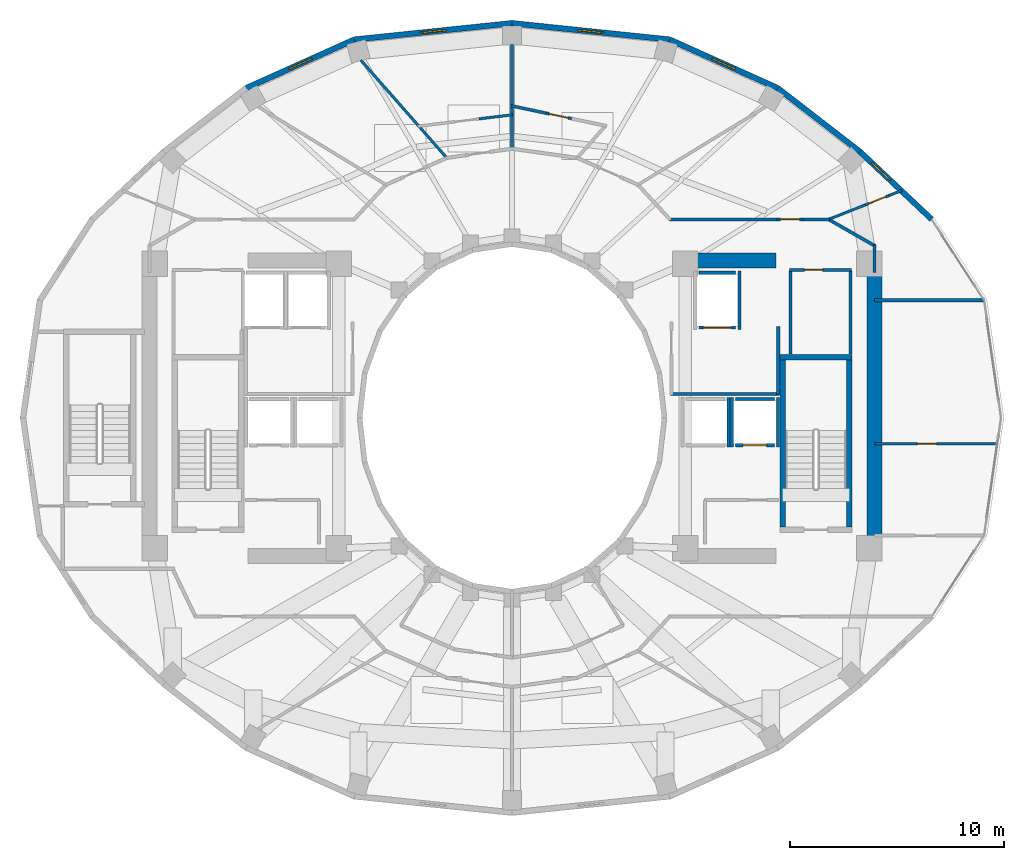
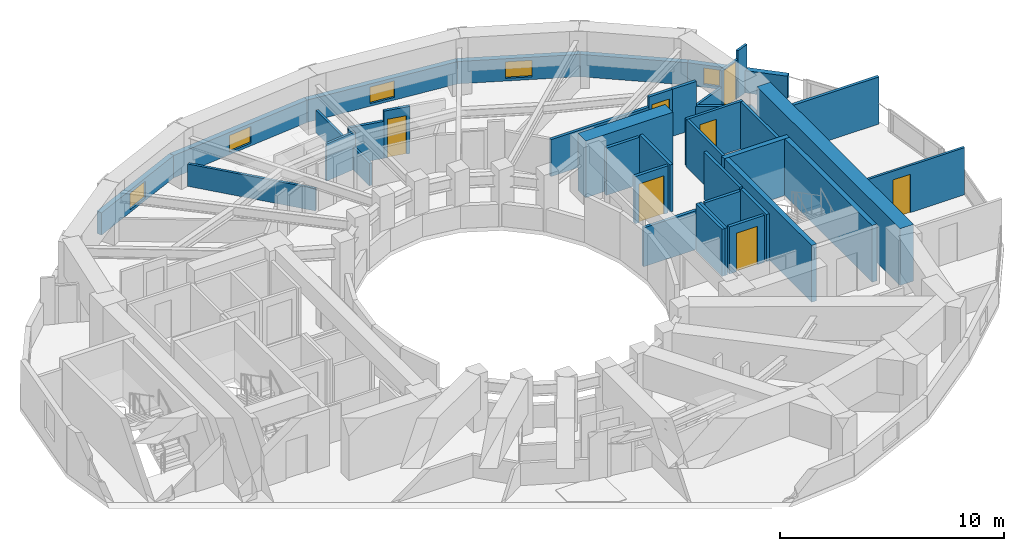
# One storey, part 9 of 13: 39 walls, 7 doors, 5 windows, 12 openings.
"""IFC4 building model written with IfcOpenShell, lengths in metres."""

from ifc_helpers import new_model, si_unit, direction, frame, frame_2d, origin, place, context, subcontext, project, spatial, rectangle, extrude, material, layer, layer_set, type_object, element, fill, save


model = new_model("IFC4")

# Units and contexts
model_context = context("Model", 3, precision=1e-05, world=origin(), true_north=direction((0.0, 1.0)))
body_context = subcontext(model_context, "Body", "Model", "MODEL_VIEW")
ifc_project = project(units=[si_unit("LENGTHUNIT", "METRE"), si_unit("AREAUNIT", "SQUARE_METRE"), si_unit("VOLUMEUNIT", "CUBIC_METRE"), si_unit("PLANEANGLEUNIT", "RADIAN"), si_unit("MASSUNIT", "GRAM", prefix="KILO")], contexts=[model_context])

# Site, building, storey
site_placement = place(None, origin())
site = spatial("IfcSite", under=ifc_project, at=site_placement, CompositionType="ELEMENT")
building_placement = place(site_placement, origin())
building = spatial("IfcBuilding", under=site, at=building_placement, Name="Solvane Sanctuary Tower", CompositionType="ELEMENT")
storey_placement = place(building_placement, frame((0.0, 0.0, 149.800048828125)))
storey = spatial("IfcBuildingStorey", under=building, at=storey_placement, Name="L45", CompositionType="ELEMENT", Elevation=149.800048828125)

# Walls
ifc_material_1 = material(Name="Concrete C60/75", Category="concrete")
ifc_layer_1 = layer(ifc_material_1, 0.699951171875, Name="Concrete C60/75")
ifc_layer_set_1 = layer_set([ifc_layer_1], Name="Concrete C60/75")
wall_type_1 = type_object("IfcWallType", Name="Wall W-CORE-700", PredefinedType="SHEAR", material=ifc_layer_set_1)
wall_1_placement = place(storey_placement, frame((48.949951171875, 17.050048828125, 0.0), z_axis=(0.0, 0.0, 1.0), x_axis=(0.0, 1.0, 0.0)))
element("IfcWall", 1, at=wall_1_placement, inside=storey, type_object=wall_type_1, Name="L45 Core Shear Wall EC-E", PredefinedType="SHEAR", context=body_context, shape_type="SweptSolid", body=[
    extrude(rectangle(XDim=12.800048828125, YDim=0.699951171875, at=frame_2d((6.39990234375, 0.0))), origin(), (0.0, 0.0, 1.0), 3.099853515625),
])
wall_2_placement = place(storey_placement, frame((39.85009765625, 30.35009765625, 0.0), z_axis=(0.0, 0.0, 1.0), x_axis=(1.0, 0.0, 0.0)))
element("IfcWall", 2, at=wall_2_placement, inside=storey, type_object=wall_type_1, Name="L45 Core Shear Wall EC-N", PredefinedType="SHEAR", context=body_context, shape_type="SweptSolid", body=[
    extrude(rectangle(XDim=4.5, YDim=0.699951171875, at=frame_2d((2.25, 0.0))), origin(), (0.0, 0.0, 1.0), 3.099853515625),
])
ifc_material_2 = material(Name="Acoustic Gypsum Partition Board")
ifc_layer_2 = layer(ifc_material_2, 0.14990234375, Name="Acoustic Gypsum Partition Board")
ifc_layer_set_2 = layer_set([ifc_layer_2], Name="Acoustic Gypsum Partition Board")
wall_type_2 = type_object("IfcWallType", Name="Wall W-CORR-150", PredefinedType="PARTITIONING", material=ifc_layer_set_2)
wall_3_placement = place(storey_placement, frame((39.39990234375, 24.1201171875, 0.0), z_axis=(0.0, 0.0, 1.0), x_axis=(1.0, 0.0, 0.0)))
element("IfcWall", 3, at=wall_3_placement, inside=storey, type_object=wall_type_2, Name="L45 East Firefighting Lobby South Wall", PredefinedType="PARTITIONING", context=body_context, shape_type="SweptSolid", body=[
    extrude(rectangle(XDim=5.080078125, YDim=0.14990234375, at=frame_2d((2.5400390625, 0.0))), origin(), (0.0, 0.0, 1.0), 2.119873046875),
])
wall_4_placement = place(storey_placement, frame((44.449951171875, 24.080078125, 0.0), z_axis=(0.0, 0.0, 1.0), x_axis=(0.0, 1.0, 0.0)))
element("IfcWall", 4, at=wall_4_placement, inside=storey, type_object=wall_type_2, Name="L45 East Firefighting Lobby East Wall", PredefinedType="PARTITIONING", context=body_context, shape_type="SweptSolid", body=[
    extrude(rectangle(XDim=3.199951171875, YDim=0.14990234375, at=frame_2d((1.60009765625, 0.0))), origin(), (0.0, 0.0, 1.0), 2.574951171875),
])
wall_5_placement = place(storey_placement, frame((48.949951171875, 28.5029296875, 0.0), z_axis=(0.0, 0.0, 1.0), x_axis=(1.0, 0.0, 0.0)))
element("IfcWall", 5, at=wall_5_placement, inside=storey, type_object=wall_type_2, Name="L45 East Shoulder North Wall", PredefinedType="PARTITIONING", context=body_context, shape_type="SweptSolid", body=[
    extrude(rectangle(XDim=5.14013671875, YDim=0.14990234375, at=frame_2d((2.570068359375, 0.0))), origin(), (0.0, 0.0, 1.0), 2.574951171875),
])
wall_6_placement = place(storey_placement, frame((48.949951171875, 29.800048828125, 0.0), z_axis=(0.0, 0.0, 1.0), x_axis=(0.0, 1.0, 0.0)))
element("IfcWall", 6, at=wall_6_placement, inside=storey, type_object=wall_type_2, Name="L45 NE Corner Closer 1", PredefinedType="PARTITIONING", context=body_context, shape_type="SweptSolid", body=[
    extrude(rectangle(XDim=1.2900390625, YDim=0.14990234375, at=frame_2d((0.64501953125, 0.0))), origin(), (0.0, 0.0, 1.0), 1.219970703125),
])
wall_7_placement = place(storey_placement, frame((39.330078125, 32.280029296875, 0.0), z_axis=(0.0, 0.0, 1.0), x_axis=(1.0, 0.0, 0.0)))
element("IfcWall", 7, at=wall_7_placement, inside=storey, type_object=wall_type_2, Name="L45 NE Corner Corridor Wall", PredefinedType="PARTITIONING", context=body_context, shape_type="SweptSolid", body=[
    extrude(rectangle(XDim=5.059814453125, YDim=0.14990234375, at=frame_2d((2.52978515625, 0.0))), origin(), (0.0, 0.0, 1.0), 2.01904296875),
])

# Wall, opening, door
wall_8_placement = place(storey_placement, frame((44.389892578125, 32.280029296875, 0.0), z_axis=(0.0, 0.0, 1.0), x_axis=(1.0, 0.0, 0.0)))
wall_8 = element("IfcWall", 8, at=wall_8_placement, inside=storey, type_object=wall_type_2, Name="L45 NE Corner Corridor Wall", PredefinedType="PARTITIONING", context=body_context, shape_type="SweptSolid", body=[
    extrude(rectangle(XDim=1.22021484375, YDim=0.14990234375, at=frame_2d((0.610107421875, 0.0))), origin(), (0.0, 0.0, 1.0), 2.574951171875),
])
opening_1_placement = place(wall_8_placement, frame((0.159912109375, 0.0, 0.0)))
opening_1 = element("IfcOpeningElement", 9, at=opening_1_placement, cuts=wall_8, Name="Opening D-L45-13", PredefinedType="OPENING", context=body_context, shape_type="SweptSolid", body=[
    extrude(rectangle(XDim=0.89990234375, YDim=2.10009765625, at=frame_2d((0.449951171875, 1.050048828125))), frame((0.0, 0.0849609375, 0.0), z_axis=(0.0, -1.0, 0.0), x_axis=(1.0, 0.0, 0.0)), (0.0, 0.0, 1.0), 0.169921875),
])
ifc_material_3 = material(Name="Engineered Tropical Hardwood", Category="wood")
door_type_1 = type_object("IfcDoorType", Name="Door D-WET-900", OperationType="NOTDEFINED", PredefinedType="DOOR", material=ifc_material_3)
door_1_placement = place(opening_1_placement, origin())
door_1 = element("IfcDoor", 10, at=door_1_placement, inside=storey, type_object=door_type_1, Name="L45 NE Corner Salon Door", OperationType="SINGLE_SWING_LEFT", OverallHeight=2.10009765625, OverallWidth=0.89990234375, PredefinedType="DOOR", context=body_context, shape_type="SweptSolid", body=[
    extrude(rectangle(XDim=0.89990234375, YDim=2.10009765625, at=frame_2d((0.449951171875, 1.050048828125))), frame((0.0, 0.02490234375, 0.0), z_axis=(0.0, -1.0, 0.0), x_axis=(1.0, 0.0, 0.0)), (0.0, 0.0, 1.0), 0.050048828125),
])
fill(opening_1, door_1)

# Walls
wall_9_placement = place(storey_placement, frame((45.610107421875, 32.280029296875, 0.0), z_axis=(0.0, 0.0, 1.0), x_axis=(1.0, 0.0, 0.0)))
element("IfcWall", 11, at=wall_9_placement, inside=storey, type_object=wall_type_2, Name="L45 NE Corner Corridor Wall", PredefinedType="PARTITIONING", context=body_context, shape_type="SweptSolid", body=[
    extrude(rectangle(XDim=1.239990234375, YDim=0.14990234375, at=frame_2d((0.6201171875, 0.0))), origin(), (0.0, 0.0, 1.0), 2.574951171875),
])
wall_10_placement = place(storey_placement, frame((46.756591796875, 32.3046875, 0.0), z_axis=(0.0, 0.0, 1.0), x_axis=(0.867991349648, -0.496579315857, 0.0)))
element("IfcWall", 12, at=wall_10_placement, inside=storey, type_object=wall_type_2, Name="L45 NE Corner Wing Wall", PredefinedType="PARTITIONING", context=body_context, shape_type="SweptSolid", body=[
    extrude(rectangle(XDim=2.56689453125, YDim=0.14990234375, at=frame_2d((1.283447265625, 0.0))), origin(), (0.0, 0.0, 1.0), 1.219970703125),
])

# Wall, opening, window
ifc_material_4 = material(Name="Precast concrete C40/50", Category="concrete")
ifc_layer_3 = layer(ifc_material_4, 0.260009765625, Name="Precast concrete C40/50")
ifc_layer_set_3 = layer_set([ifc_layer_3], Name="Precast concrete C40/50")
wall_type_3 = type_object("IfcWallType", Name="Wall W-EXT-250", PredefinedType="STANDARD", material=ifc_layer_set_3)
wall_11_placement = place(storey_placement, frame((51.619140625, 32.28369140625, 0.0), z_axis=(0.0, 0.0, 1.0), x_axis=(-0.727667301037, 0.68593024354, 0.0)))
wall_11 = element("IfcWall", 13, at=wall_11_placement, inside=storey, type_object=wall_type_3, Name="L45 Ceramic-Printed Facade Wall 02", PredefinedType="STANDARD", context=body_context, shape_type="SweptSolid", body=[
    extrude(rectangle(XDim=4.603515625, YDim=0.260009765625, at=frame_2d((2.3017578125, 0.0))), origin(), (0.0, 0.0, 1.0), 1.219970703125),
])
opening_2_placement = place(wall_11_placement, frame((2.65185546875, 0.0, 0.14990234375)))
opening_2 = element("IfcOpeningElement", 14, at=opening_2_placement, cuts=wall_11, Name="Opening WN-OPER-1200", PredefinedType="OPENING", context=body_context, shape_type="SweptSolid", body=[
    extrude(rectangle(XDim=1.199951171875, YDim=0.89990234375, at=frame_2d((0.60009765625, 0.449951171875))), frame((0.0, 0.139892578125, 0.0), z_axis=(0.0, -1.0, 0.0), x_axis=(1.0, 0.0, 0.0)), (0.0, 0.0, 1.0), 0.280029296875),
])
ifc_material_5 = material(Name="Dark Ceramic-Fritted Low-E Glass", Category="glass")
window_type = type_object("IfcWindowType", Name="Window WN-OPER-1200", PartitioningType="SINGLE_PANEL", PredefinedType="WINDOW", material=ifc_material_5)
window_1_placement = place(opening_2_placement, origin())
window_1 = element("IfcWindow", 15, at=window_1_placement, inside=storey, type_object=window_type, Name="L45 Operable Facade Window 02", OverallHeight=0.89990234375, OverallWidth=1.199951171875, PartitioningType="SINGLE_PANEL", PredefinedType="WINDOW", context=body_context, shape_type="SweptSolid", body=[
    extrude(rectangle(XDim=1.199951171875, YDim=0.89990234375, at=frame_2d((0.60009765625, 0.449951171875))), frame((0.0, 0.030029296875, 0.0), z_axis=(0.0, -1.0, 0.0), x_axis=(1.0, 0.0, 0.0)), (0.0, 0.0, 1.0), 0.06005859375),
])
fill(opening_2, window_1)

# Wall
wall_12_placement = place(storey_placement, frame((48.269287109375, 35.44140625, 0.0), z_axis=(0.0, 0.0, 1.0), x_axis=(-0.791460185804, 0.611220724687, 0.0)))
element("IfcWall", 16, at=wall_12_placement, inside=storey, type_object=wall_type_3, Name="L45 Ceramic-Printed Facade Wall 03", PredefinedType="STANDARD", context=body_context, shape_type="SweptSolid", body=[
    extrude(rectangle(XDim=4.872314453125, YDim=0.260009765625, at=frame_2d((2.43603515625, 0.0))), origin(), (0.0, 0.0, 1.0), 1.219970703125),
])

# Wall, opening, window
wall_13_placement = place(storey_placement, frame((44.4130859375, 38.41943359375, 0.0), z_axis=(0.0, 0.0, 1.0), x_axis=(-0.912353637112, 0.409403029847, 0.0)))
wall_13 = element("IfcWall", 17, at=wall_13_placement, inside=storey, type_object=wall_type_3, Name="L45 Ceramic-Printed Facade Wall 04", PredefinedType="STANDARD", context=body_context, shape_type="SweptSolid", body=[
    extrude(rectangle(XDim=5.53271484375, YDim=0.260009765625, at=frame_2d((2.766357421875, 0.0))), origin(), (0.0, 0.0, 1.0), 1.219970703125),
])
opening_3_placement = place(wall_13_placement, frame((2.16650390625, 0.0, 0.14990234375)))
opening_3 = element("IfcOpeningElement", 18, at=opening_3_placement, cuts=wall_13, Name="Opening WN-OPER-1200", PredefinedType="OPENING", context=body_context, shape_type="SweptSolid", body=[
    extrude(rectangle(XDim=1.199951171875, YDim=0.89990234375, at=frame_2d((0.60009765625, 0.449951171875))), frame((0.0, 0.139892578125, 0.0), z_axis=(0.0, -1.0, 0.0), x_axis=(1.0, 0.0, 0.0)), (0.0, 0.0, 1.0), 0.280029296875),
])
window_2_placement = place(opening_3_placement, origin())
window_2 = element("IfcWindow", 19, at=window_2_placement, inside=storey, type_object=window_type, Name="L45 Operable Facade Window 04", OverallHeight=0.89990234375, OverallWidth=1.199951171875, PartitioningType="SINGLE_PANEL", PredefinedType="WINDOW", context=body_context, shape_type="SweptSolid", body=[
    extrude(rectangle(XDim=1.199951171875, YDim=0.89990234375, at=frame_2d((0.60009765625, 0.449951171875))), frame((0.0, 0.030029296875, 0.0), z_axis=(0.0, -1.0, 0.0), x_axis=(1.0, 0.0, 0.0)), (0.0, 0.0, 1.0), 0.06005859375),
])
fill(opening_3, window_2)

wall_14_placement = place(storey_placement, frame((39.365234375, 40.6845703125, 0.0), z_axis=(0.0, 0.0, 1.0), x_axis=(-0.994664178965, 0.10316574569, 0.0)))
wall_14 = element("IfcWall", 20, at=wall_14_placement, inside=storey, type_object=wall_type_3, Name="L45 Ceramic-Printed Facade Wall 05", PredefinedType="STANDARD", context=body_context, shape_type="SweptSolid", body=[
    extrude(rectangle(XDim=7.40478515625, YDim=0.260009765625, at=frame_2d((3.702392578125, 0.0))), origin(), (0.0, 0.0, 1.0), 1.219970703125),
])
opening_4_placement = place(wall_14_placement, frame((3.102294921875, 0.0, 0.14990234375)))
opening_4 = element("IfcOpeningElement", 21, at=opening_4_placement, cuts=wall_14, Name="Opening WN-OPER-1200", PredefinedType="OPENING", context=body_context, shape_type="SweptSolid", body=[
    extrude(rectangle(XDim=1.199951171875, YDim=0.89990234375, at=frame_2d((0.60009765625, 0.449951171875))), frame((0.0, 0.139892578125, 0.0), z_axis=(0.0, -1.0, 0.0), x_axis=(1.0, 0.0, 0.0)), (0.0, 0.0, 1.0), 0.280029296875),
])
window_3_placement = place(opening_4_placement, origin())
window_3 = element("IfcWindow", 22, at=window_3_placement, inside=storey, type_object=window_type, Name="L45 Operable Facade Window 05", OverallHeight=0.89990234375, OverallWidth=1.199951171875, PartitioningType="SINGLE_PANEL", PredefinedType="WINDOW", context=body_context, shape_type="SweptSolid", body=[
    extrude(rectangle(XDim=1.199951171875, YDim=0.89990234375, at=frame_2d((0.60009765625, 0.449951171875))), frame((0.0, 0.030029296875, 0.0), z_axis=(0.0, -1.0, 0.0), x_axis=(1.0, 0.0, 0.0)), (0.0, 0.0, 1.0), 0.06005859375),
])
fill(opening_4, window_3)

wall_15_placement = place(storey_placement, frame((32.0, 41.448486328125, 0.0), z_axis=(0.0, 0.0, 1.0), x_axis=(-0.994664178965, -0.10316574569, 0.0)))
wall_15 = element("IfcWall", 23, at=wall_15_placement, inside=storey, type_object=wall_type_3, Name="L45 Ceramic-Printed Facade Wall 06", PredefinedType="STANDARD", context=body_context, shape_type="SweptSolid", body=[
    extrude(rectangle(XDim=7.40478515625, YDim=0.260009765625, at=frame_2d((3.702392578125, 0.0))), origin(), (0.0, 0.0, 1.0), 1.219970703125),
])
opening_5_placement = place(wall_15_placement, frame((3.102294921875, 0.0, 0.14990234375)))
opening_5 = element("IfcOpeningElement", 24, at=opening_5_placement, cuts=wall_15, Name="Opening WN-OPER-1200", PredefinedType="OPENING", context=body_context, shape_type="SweptSolid", body=[
    extrude(rectangle(XDim=1.199951171875, YDim=0.89990234375, at=frame_2d((0.60009765625, 0.449951171875))), frame((0.0, 0.139892578125, 0.0), z_axis=(0.0, -1.0, 0.0), x_axis=(1.0, 0.0, 0.0)), (0.0, 0.0, 1.0), 0.280029296875),
])
window_4_placement = place(opening_5_placement, origin())
window_4 = element("IfcWindow", 25, at=window_4_placement, inside=storey, type_object=window_type, Name="L45 Operable Facade Window 06", OverallHeight=0.89990234375, OverallWidth=1.199951171875, PartitioningType="SINGLE_PANEL", PredefinedType="WINDOW", context=body_context, shape_type="SweptSolid", body=[
    extrude(rectangle(XDim=1.199951171875, YDim=0.89990234375, at=frame_2d((0.60009765625, 0.449951171875))), frame((0.0, 0.030029296875, 0.0), z_axis=(0.0, -1.0, 0.0), x_axis=(1.0, 0.0, 0.0)), (0.0, 0.0, 1.0), 0.06005859375),
])
fill(opening_5, window_4)

wall_16_placement = place(storey_placement, frame((24.634765625, 40.6845703125, 0.0), z_axis=(0.0, 0.0, 1.0), x_axis=(-0.912353637112, -0.409403029847, 0.0)))
wall_16 = element("IfcWall", 26, at=wall_16_placement, inside=storey, type_object=wall_type_3, Name="L45 Ceramic-Printed Facade Wall 07", PredefinedType="STANDARD", context=body_context, shape_type="SweptSolid", body=[
    extrude(rectangle(XDim=5.53271484375, YDim=0.260009765625, at=frame_2d((2.766357421875, 0.0))), origin(), (0.0, 0.0, 1.0), 1.219970703125),
])
opening_6_placement = place(wall_16_placement, frame((2.16650390625, 0.0, 0.14990234375)))
opening_6 = element("IfcOpeningElement", 27, at=opening_6_placement, cuts=wall_16, Name="Opening WN-OPER-1200", PredefinedType="OPENING", context=body_context, shape_type="SweptSolid", body=[
    extrude(rectangle(XDim=1.199951171875, YDim=0.89990234375, at=frame_2d((0.60009765625, 0.449951171875))), frame((0.0, 0.139892578125, 0.0), z_axis=(0.0, -1.0, 0.0), x_axis=(1.0, 0.0, 0.0)), (0.0, 0.0, 1.0), 0.280029296875),
])
window_5_placement = place(opening_6_placement, origin())
window_5 = element("IfcWindow", 28, at=window_5_placement, inside=storey, type_object=window_type, Name="L45 Operable Facade Window 07", OverallHeight=0.89990234375, OverallWidth=1.199951171875, PartitioningType="SINGLE_PANEL", PredefinedType="WINDOW", context=body_context, shape_type="SweptSolid", body=[
    extrude(rectangle(XDim=1.199951171875, YDim=0.89990234375, at=frame_2d((0.60009765625, 0.449951171875))), frame((0.0, 0.030029296875, 0.0), z_axis=(0.0, -1.0, 0.0), x_axis=(1.0, 0.0, 0.0)), (0.0, 0.0, 1.0), 0.06005859375),
])
fill(opening_6, window_5)

# Wall, opening, door
ifc_layer_4 = layer(ifc_material_2, 0.1201171875, Name="Acoustic Gypsum Partition Board")
ifc_layer_set_4 = layer_set([ifc_layer_4], Name="Acoustic Gypsum Partition Board")
wall_type_4 = type_object("IfcWallType", Name="Wall W-MOV-100", PredefinedType="MOVABLE", material=ifc_layer_set_4)
wall_17_placement = place(storey_placement, frame((48.949951171875, 21.800048828125, 0.0), z_axis=(0.0, 0.0, 1.0), x_axis=(1.0, 0.0, 0.0)))
wall_17 = element("IfcWall", 29, at=wall_17_placement, inside=storey, type_object=wall_type_4, Name="L45 East Suite Partition", PredefinedType="MOVABLE", context=body_context, shape_type="SweptSolid", body=[
    extrude(rectangle(XDim=5.69775390625, YDim=0.1201171875, at=frame_2d((2.848876953125, 0.0))), origin(), (0.0, 0.0, 1.0), 2.574951171875),
])
opening_7_placement = place(wall_17_placement, frame((2.0, 0.0, 0.0)))
opening_7 = element("IfcOpeningElement", 30, at=opening_7_placement, cuts=wall_17, Name="Opening D-L45-11", PredefinedType="OPENING", context=body_context, shape_type="SweptSolid", body=[
    extrude(rectangle(XDim=0.89990234375, YDim=2.10009765625, at=frame_2d((0.449951171875, 1.050048828125))), frame((0.0, 0.070068359375, 0.0), z_axis=(0.0, -1.0, 0.0), x_axis=(1.0, 0.0, 0.0)), (0.0, 0.0, 1.0), 0.14013671875),
])
door_2_placement = place(opening_7_placement, origin())
door_2 = element("IfcDoor", 31, at=door_2_placement, inside=storey, type_object=door_type_1, Name="L45 East Suite Internal Door", OperationType="SINGLE_SWING_LEFT", OverallHeight=2.10009765625, OverallWidth=0.89990234375, PredefinedType="DOOR", context=body_context, shape_type="SweptSolid", body=[
    extrude(rectangle(XDim=0.89990234375, YDim=2.10009765625, at=frame_2d((0.449951171875, 1.050048828125))), frame((0.0, 0.02490234375, 0.0), z_axis=(0.0, -1.0, 0.0), x_axis=(1.0, 0.0, 0.0)), (0.0, 0.0, 1.0), 0.050048828125),
])
fill(opening_7, door_2)

# Wall
wall_18_placement = place(storey_placement, frame((46.75341796875, 32.26171875, 0.0), z_axis=(0.0, 0.0, 1.0), x_axis=(0.930227502765, 0.36698336897, 0.0)))
element("IfcWall", 32, at=wall_18_placement, inside=storey, type_object=wall_type_4, Name="L45 NE Corner Suite Partition", PredefinedType="MOVABLE", context=body_context, shape_type="SweptSolid", body=[
    extrude(rectangle(XDim=1.911865234375, YDim=0.1201171875, at=frame_2d((0.9560546875, 0.0))), origin(), (0.0, 0.0, 1.0), 1.219970703125),
])

# Wall, opening, door
wall_19_placement = place(storey_placement, frame((48.531982421875, 32.96337890625, 0.0), z_axis=(0.0, 0.0, 1.0), x_axis=(0.93017960314, 0.367104761482, 0.0)))
wall_19 = element("IfcWall", 33, at=wall_19_placement, inside=storey, type_object=wall_type_4, Name="L45 NE Corner Suite Partition", PredefinedType="MOVABLE", context=body_context, shape_type="SweptSolid", body=[
    extrude(rectangle(XDim=1.169921875, YDim=0.1201171875, at=frame_2d((0.5849609375, 0.0))), origin(), (0.0, 0.0, 1.0), 2.10986328125),
])
opening_8_placement = place(wall_19_placement, frame((0.159912109375, 0.0, 0.0)))
opening_8 = element("IfcOpeningElement", 34, at=opening_8_placement, cuts=wall_19, Name="Opening D-L45-12", PredefinedType="OPENING", context=body_context, shape_type="SweptSolid", body=[
    extrude(rectangle(XDim=0.85009765625, YDim=2.050048828125, at=frame_2d((0.425048828125, 1.02490234375))), frame((0.0, 0.070068359375, 0.0), z_axis=(0.0, -1.0, 0.0), x_axis=(1.0, 0.0, 0.0)), (0.0, 0.0, 1.0), 0.14013671875),
])
ifc_material_6 = material(Name="Architectural Stainless Steel 316", Category="steel")
door_type_2 = type_object("IfcDoorType", Name="Door D-RISER", OperationType="NOTDEFINED", PredefinedType="DOOR", material=ifc_material_6)
door_3_placement = place(opening_8_placement, origin())
door_3 = element("IfcDoor", 35, at=door_3_placement, inside=storey, type_object=door_type_2, Name="L45 NE Corner Suite Door", OperationType="SINGLE_SWING_RIGHT", OverallHeight=2.050048828125, OverallWidth=0.85009765625, PredefinedType="DOOR", context=body_context, shape_type="SweptSolid", body=[
    extrude(rectangle(XDim=0.85009765625, YDim=2.050048828125, at=frame_2d((0.425048828125, 1.02490234375))), frame((0.0, 0.02490234375, 0.0), z_axis=(0.0, -1.0, 0.0), x_axis=(1.0, 0.0, 0.0)), (0.0, 0.0, 1.0), 0.050048828125),
])
fill(opening_8, door_3)

# Walls
wall_20_placement = place(storey_placement, frame((49.6201171875, 33.392822265625, 0.0), z_axis=(0.0, 0.0, 1.0), x_axis=(0.9301788827, 0.367106586945, 0.0)))
element("IfcWall", 36, at=wall_20_placement, inside=storey, type_object=wall_type_4, Name="L45 NE Corner Suite Partition", PredefinedType="MOVABLE", context=body_context, shape_type="SweptSolid", body=[
    extrude(rectangle(XDim=0.649169921875, YDim=0.1201171875, at=frame_2d((0.32470703125, 0.0))), origin(), (0.0, 0.0, 1.0), 2.574951171875),
])
wall_21_placement = place(storey_placement, frame((32.049560546875, 37.17138671875, 0.0), z_axis=(0.0, 0.0, 1.0), x_axis=(-0.992769444963, -0.120036782477, 0.0)))
element("IfcWall", 37, at=wall_21_placement, inside=storey, type_object=wall_type_4, Name="L45 Suite Sitting Lounge Partition N2", PredefinedType="MOVABLE", context=body_context, shape_type="SweptSolid", body=[
    extrude(rectangle(XDim=1.60888671875, YDim=0.1201171875, at=frame_2d((0.804443359375, 0.0))), origin(), (0.0, 0.0, 1.0), 2.01904296875),
])
ifc_layer_5 = layer(ifc_material_2, 0.125, Name="Acoustic Gypsum Partition Board")
ifc_layer_set_5 = layer_set([ifc_layer_5], Name="Acoustic Gypsum Partition Board")
wall_type_5 = type_object("IfcWallType", Name="Wall W-PART-125", PredefinedType="PARTITIONING", material=ifc_layer_set_5)
wall_22_placement = place(storey_placement, frame((32.0, 35.636962890625, 0.0), z_axis=(0.0, 0.0, 1.0), x_axis=(0.0, 1.0, 0.0)))
element("IfcWall", 38, at=wall_22_placement, inside=storey, type_object=wall_type_5, Name="L45 Radial Compartment Wall 090", PredefinedType="PARTITIONING", context=body_context, shape_type="SweptSolid", body=[
    extrude(rectangle(XDim=4.81298828125, YDim=0.125, at=frame_2d((2.406494140625, 0.0))), origin(), (0.0, 0.0, 1.0), 1.219970703125),
])
wall_23_placement = place(storey_placement, frame((28.914306640625, 35.194580078125, 0.0), z_axis=(0.0, 0.0, 1.0), x_axis=(-0.660581320981, 0.750754499401, 0.0)))
element("IfcWall", 39, at=wall_23_placement, inside=storey, type_object=wall_type_5, Name="L45 Radial Compartment Wall 105", PredefinedType="PARTITIONING", context=body_context, shape_type="SweptSolid", body=[
    extrude(rectangle(XDim=6.02685546875, YDim=0.125, at=frame_2d((3.013427734375, 0.0))), origin(), (0.0, 0.0, 1.0), 1.219970703125),
])

# Wall, opening, door
ifc_material_7 = material(Name="Concrete C50/60", Category="concrete")
ifc_layer_6 = layer(ifc_material_7, 0.14990234375, Name="Concrete C50/60")
ifc_layer_set_6 = layer_set([ifc_layer_6], Name="Concrete C50/60")
wall_type_6 = type_object("IfcWallType", Name="Wall W-SHAFT-150", PredefinedType="SOLIDWALL", material=ifc_layer_set_6)
wall_24_placement = place(storey_placement, frame((42.43994140625, 21.719970703125, 0.0), z_axis=(0.0, 0.0, 1.0), x_axis=(1.0, 0.0, 0.0)))
wall_24 = element("IfcWall", 40, at=wall_24_placement, inside=storey, type_object=wall_type_6, Name="L45 PM-2 Lift Shaft Wall F", PredefinedType="SOLIDWALL", context=body_context, shape_type="SweptSolid", body=[
    extrude(rectangle(XDim=1.820068359375, YDim=0.14990234375, at=frame_2d((0.91015625, 0.0))), origin(), (0.0, 0.0, 1.0), 2.574951171875),
])
opening_9_placement = place(wall_24_placement, frame((0.360107421875, 0.0, 0.0)))
opening_9 = element("IfcOpeningElement", 41, at=opening_9_placement, cuts=wall_24, Name="Opening LD-L45-02", PredefinedType="OPENING", context=body_context, shape_type="SweptSolid", body=[
    extrude(rectangle(XDim=1.10009765625, YDim=2.10009765625, at=frame_2d((0.550048828125, 1.050048828125))), frame((0.0, 0.0849609375, 0.0), z_axis=(0.0, -1.0, 0.0), x_axis=(1.0, 0.0, 0.0)), (0.0, 0.0, 1.0), 0.169921875),
])
door_type_3 = type_object("IfcDoorType", Name="Door LD-PASS-1100", OperationType="NOTDEFINED", PredefinedType="DOOR", material=ifc_material_6)
door_4_placement = place(opening_9_placement, origin())
door_4 = element("IfcDoor", 42, at=door_4_placement, inside=storey, type_object=door_type_3, Name="L45 PM-2 Lift Landing Door", OperationType="DOUBLE_DOOR_SLIDING", OverallHeight=2.10009765625, OverallWidth=1.10009765625, PredefinedType="DOOR", context=body_context, shape_type="SweptSolid", body=[
    extrude(rectangle(XDim=1.10009765625, YDim=2.10009765625, at=frame_2d((0.550048828125, 1.050048828125))), frame((0.0, 0.02490234375, 0.0), z_axis=(0.0, -1.0, 0.0), x_axis=(1.0, 0.0, 0.0)), (0.0, 0.0, 1.0), 0.050048828125),
])
fill(opening_9, door_4)

# Walls
wall_25_placement = place(storey_placement, frame((42.43994140625, 23.8798828125, 0.0), z_axis=(0.0, 0.0, 1.0), x_axis=(1.0, 0.0, 0.0)))
element("IfcWall", 43, at=wall_25_placement, inside=storey, type_object=wall_type_6, Name="L45 PM-2 Lift Shaft Wall B", PredefinedType="SOLIDWALL", context=body_context, shape_type="SweptSolid", body=[
    extrude(rectangle(XDim=1.820068359375, YDim=0.14990234375, at=frame_2d((0.91015625, 0.0))), origin(), (0.0, 0.0, 1.0), 2.574951171875),
])
for number, where, z_axis, x_axis, name in (
    (44, (42.27001953125, 21.639892578125, 0.0), (0.0, 0.0, 1.0), (0.0, 1.0, 0.0), "L45 PM-2 Lift Shaft Wall S1"),
    (45, (44.429931640625, 21.639892578125, 0.0), (0.0, 0.0, 1.0), (0.0, 1.0, 0.0), "L45 PM-2 Lift Shaft Wall S2"),
    (46, (42.1298828125, 21.639892578125, 0.0), (0.0, 0.0, 1.0), (0.0, 1.0, 0.0), "L45 PH-2 Lift Shaft Wall S2"),
):
    element("IfcWall", number, at=place(storey_placement, frame(where, z_axis=z_axis, x_axis=x_axis)), inside=storey, type_object=wall_type_6, Name=name, PredefinedType="SOLIDWALL", context=body_context, shape_type="SweptSolid", body=[
        extrude(rectangle(XDim=2.320068359375, YDim=0.14990234375, at=frame_2d((1.16015625, 0.0))), origin(), (0.0, 0.0, 1.0), 2.574951171875),
    ])

# Wall, opening, door
wall_26_placement = place(storey_placement, frame((40.739990234375, 27.219970703125, 0.0), z_axis=(0.0, 0.0, 1.0), x_axis=(1.0, 0.0, 0.0)))
wall_26 = element("IfcWall", 47, at=wall_26_placement, inside=storey, type_object=wall_type_6, Name="L45 FFL-2 Lift Shaft Wall F", PredefinedType="SOLIDWALL", context=body_context, shape_type="SweptSolid", body=[
    extrude(rectangle(XDim=1.719970703125, YDim=0.14990234375, at=frame_2d((0.85986328125, 0.0))), origin(), (0.0, 0.0, 1.0), 2.574951171875),
])
opening_10_placement = place(wall_26_placement, frame((0.2099609375, 0.0, 0.0)))
opening_10 = element("IfcOpeningElement", 48, at=opening_10_placement, cuts=wall_26, Name="Opening LD-L45-05", PredefinedType="OPENING", context=body_context, shape_type="SweptSolid", body=[
    extrude(rectangle(XDim=1.300048828125, YDim=2.10009765625, at=frame_2d((0.64990234375, 1.050048828125))), frame((0.0, 0.0849609375, 0.0), z_axis=(0.0, -1.0, 0.0), x_axis=(1.0, 0.0, 0.0)), (0.0, 0.0, 1.0), 0.169921875),
])
door_type_4 = type_object("IfcDoorType", Name="Door LD-FFL-1300", OperationType="NOTDEFINED", PredefinedType="DOOR", material=ifc_material_6)
door_5_placement = place(opening_10_placement, origin())
door_5 = element("IfcDoor", 49, at=door_5_placement, inside=storey, type_object=door_type_4, Name="L45 FFL-2 Lift Landing Door", OperationType="DOUBLE_DOOR_SLIDING", OverallHeight=2.10009765625, OverallWidth=1.300048828125, PredefinedType="DOOR", context=body_context, shape_type="SweptSolid", body=[
    extrude(rectangle(XDim=1.300048828125, YDim=2.10009765625, at=frame_2d((0.64990234375, 1.050048828125))), frame((0.0, 0.02490234375, 0.0), z_axis=(0.0, -1.0, 0.0), x_axis=(1.0, 0.0, 0.0)), (0.0, 0.0, 1.0), 0.050048828125),
])
fill(opening_10, door_5)

# Walls
wall_27_placement = place(storey_placement, frame((40.739990234375, 29.780029296875, 0.0), z_axis=(0.0, 0.0, 1.0), x_axis=(1.0, 0.0, 0.0)))
element("IfcWall", 50, at=wall_27_placement, inside=storey, type_object=wall_type_6, Name="L45 FFL-2 Lift Shaft Wall B", PredefinedType="SOLIDWALL", context=body_context, shape_type="SweptSolid", body=[
    extrude(rectangle(XDim=1.719970703125, YDim=0.14990234375, at=frame_2d((0.85986328125, 0.0))), origin(), (0.0, 0.0, 1.0), 2.574951171875),
])
wall_28_placement = place(storey_placement, frame((42.6298828125, 27.139892578125, 0.0), z_axis=(0.0, 0.0, 1.0), x_axis=(0.0, 1.0, 0.0)))
element("IfcWall", 51, at=wall_28_placement, inside=storey, type_object=wall_type_6, Name="L45 FFL-2 Lift Shaft Wall S2", PredefinedType="SOLIDWALL", context=body_context, shape_type="SweptSolid", body=[
    extrude(rectangle(XDim=2.72021484375, YDim=0.14990234375, at=frame_2d((1.360107421875, 0.0))), origin(), (0.0, 0.0, 1.0), 2.574951171875),
])
ifc_layer_7 = layer(ifc_material_7, 0.25, Name="Concrete C50/60")
ifc_layer_set_7 = layer_set([ifc_layer_7], Name="Concrete C50/60")
wall_type_7 = type_object("IfcWallType", Name="Wall W-SHAFT-250", PredefinedType="SOLIDWALL", material=ifc_layer_set_7)
wall_29_placement = place(storey_placement, frame((44.52490234375, 25.830078125, 0.0), z_axis=(0.0, 0.0, 1.0), x_axis=(1.0, 0.0, 0.0)))
element("IfcWall", 52, at=wall_29_placement, inside=storey, type_object=wall_type_7, Name="L45 ST-2 Load-Bearing Shaft Wall N", PredefinedType="SOLIDWALL", context=body_context, shape_type="SweptSolid", body=[
    extrude(rectangle(XDim=3.3701171875, YDim=0.25, at=frame_2d((1.68505859375, 0.0))), origin(), (0.0, 0.0, 1.0), 3.099853515625),
])
for number, where, z_axis, x_axis, name in (
    (53, (44.64990234375, 17.89501953125, 0.0), (0.0, 0.0, 1.0), (0.0, 1.0, 0.0), "L45 ST-2 Load-Bearing Shaft Wall W"),
    (54, (47.77001953125, 17.89501953125, 0.0), (0.0, 0.0, 1.0), (0.0, 1.0, 0.0), "L45 ST-2 Load-Bearing Shaft Wall E"),
):
    element("IfcWall", number, at=place(storey_placement, frame(where, z_axis=z_axis, x_axis=x_axis)), inside=storey, type_object=wall_type_7, Name=name, PredefinedType="SOLIDWALL", context=body_context, shape_type="SweptSolid", body=[
        extrude(rectangle(XDim=7.81005859375, YDim=0.25, at=frame_2d((3.905029296875, 0.0))), origin(), (0.0, 0.0, 1.0), 3.099853515625),
    ])

# Wall, opening, door
ifc_layer_8 = layer(ifc_material_2, 0.139892578125, Name="Acoustic Gypsum Partition Board")
ifc_layer_set_8 = layer_set([ifc_layer_8], Name="Acoustic Gypsum Partition Board")
wall_type_8 = type_object("IfcWallType", Name="Wall W-WET-140", PredefinedType="PLUMBINGWALL", material=ifc_layer_set_8)
wall_30_placement = place(storey_placement, frame((44.97998046875, 29.919921875, 0.0), z_axis=(0.0, 0.0, 1.0), x_axis=(1.0, 0.0, 0.0)))
wall_30 = element("IfcWall", 55, at=wall_30_placement, inside=storey, type_object=wall_type_8, Name="L45 Core Service Front Wall KE0", PredefinedType="PLUMBINGWALL", context=body_context, shape_type="SweptSolid", body=[
    extrude(rectangle(XDim=2.89990234375, YDim=0.139892578125, at=frame_2d((1.449951171875, 0.0))), origin(), (0.0, 0.0, 1.0), 2.574951171875),
])
opening_11_placement = place(wall_30_placement, frame((0.685546875, 0.0, 0.0)))
opening_11 = element("IfcOpeningElement", 56, at=opening_11_placement, cuts=wall_30, Name="Opening D-L45-09", PredefinedType="OPENING", context=body_context, shape_type="SweptSolid", body=[
    extrude(rectangle(XDim=0.85009765625, YDim=2.050048828125, at=frame_2d((0.425048828125, 1.02490234375))), frame((0.0, 0.079833984375, 0.0), z_axis=(0.0, -1.0, 0.0), x_axis=(1.0, 0.0, 0.0)), (0.0, 0.0, 1.0), 0.159912109375),
])
door_6_placement = place(opening_11_placement, origin())
door_6 = element("IfcDoor", 57, at=door_6_placement, inside=storey, type_object=door_type_2, Name="L45 Core Service Room Door KE0-1", OperationType="SINGLE_SWING_LEFT", OverallHeight=2.050048828125, OverallWidth=0.85009765625, PredefinedType="DOOR", context=body_context, shape_type="SweptSolid", body=[
    extrude(rectangle(XDim=0.85009765625, YDim=2.050048828125, at=frame_2d((0.425048828125, 1.02490234375))), frame((0.0, 0.02490234375, 0.0), z_axis=(0.0, -1.0, 0.0), x_axis=(1.0, 0.0, 0.0)), (0.0, 0.0, 1.0), 0.050048828125),
])
fill(opening_11, door_6)

# Walls
for number, where, z_axis, x_axis, name in (
    (58, (45.02001953125, 25.97998046875, 0.0), (0.0, 0.0, 1.0), (0.0, 1.0, 0.0), "L45 Core Service Side Wall KE0-1"),
    (59, (47.820068359375, 25.97998046875, 0.0), (0.0, 0.0, 1.0), (0.0, 1.0, 0.0), "L45 Core Service Side Wall KE0-2"),
):
    element("IfcWall", number, at=place(storey_placement, frame(where, z_axis=z_axis, x_axis=x_axis)), inside=storey, type_object=wall_type_8, Name=name, PredefinedType="PLUMBINGWALL", context=body_context, shape_type="SweptSolid", body=[
        extrude(rectangle(XDim=3.880126953125, YDim=0.139892578125, at=frame_2d((1.93994140625, 0.0))), origin(), (0.0, 0.0, 1.0), 2.574951171875),
    ])

# Wall, opening, door
wall_31_placement = place(storey_placement, frame((34.781982421875, 36.99169921875, 0.0), z_axis=(0.0, 0.0, 1.0), x_axis=(-0.97818732348, 0.20772472213, 0.0)))
wall_31 = element("IfcWall", 60, at=wall_31_placement, inside=storey, type_object=wall_type_8, Name="L45 En-suite Bedroom Wall N1", PredefinedType="PLUMBINGWALL", context=body_context, shape_type="SweptSolid", body=[
    extrude(rectangle(XDim=1.219970703125, YDim=0.139892578125, at=frame_2d((0.60986328125, 0.0))), origin(), (0.0, 0.0, 1.0), 2.574951171875),
])
opening_12_placement = place(wall_31_placement, frame((0.159912109375, 0.0, 0.0)))
opening_12 = element("IfcOpeningElement", 61, at=opening_12_placement, cuts=wall_31, Name="Opening D-L45-21", PredefinedType="OPENING", context=body_context, shape_type="SweptSolid", body=[
    extrude(rectangle(XDim=0.89990234375, YDim=2.10009765625, at=frame_2d((0.449951171875, 1.050048828125))), frame((0.0, 0.079833984375, 0.0), z_axis=(0.0, -1.0, 0.0), x_axis=(1.0, 0.0, 0.0)), (0.0, 0.0, 1.0), 0.159912109375),
])
door_7_placement = place(opening_12_placement, origin())
door_7 = element("IfcDoor", 62, at=door_7_placement, inside=storey, type_object=door_type_1, Name="L45 En-suite Bathroom Door N1", OperationType="SINGLE_SWING_LEFT", OverallHeight=2.10009765625, OverallWidth=0.89990234375, PredefinedType="DOOR", context=body_context, shape_type="SweptSolid", body=[
    extrude(rectangle(XDim=0.89990234375, YDim=2.10009765625, at=frame_2d((0.449951171875, 1.050048828125))), frame((0.0, 0.02490234375, 0.0), z_axis=(0.0, -1.0, 0.0), x_axis=(1.0, 0.0, 0.0)), (0.0, 0.0, 1.0), 0.050048828125),
])
fill(opening_12, door_7)

# Wall
wall_32_placement = place(storey_placement, frame((33.588623046875, 37.2451171875, 0.0), z_axis=(0.0, 0.0, 1.0), x_axis=(-0.978254755399, 0.207406927416, 0.0)))
element("IfcWall", 63, at=wall_32_placement, inside=storey, type_object=wall_type_8, Name="L45 En-suite Bedroom Wall N1", PredefinedType="PLUMBINGWALL", context=body_context, shape_type="SweptSolid", body=[
    extrude(rectangle(XDim=1.673828125, YDim=0.139892578125, at=frame_2d((0.8369140625, 0.0))), origin(), (0.0, 0.0, 1.0), 2.01904296875),
])

save(model, "model.ifc")
